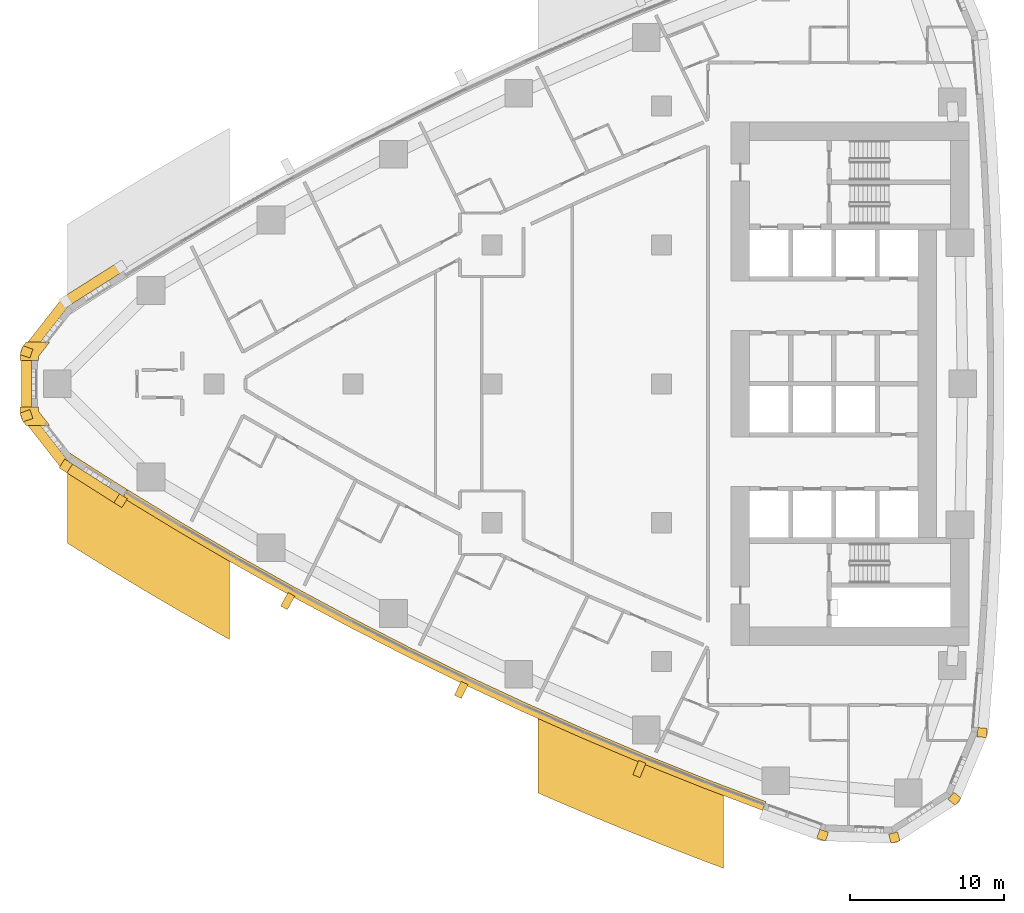
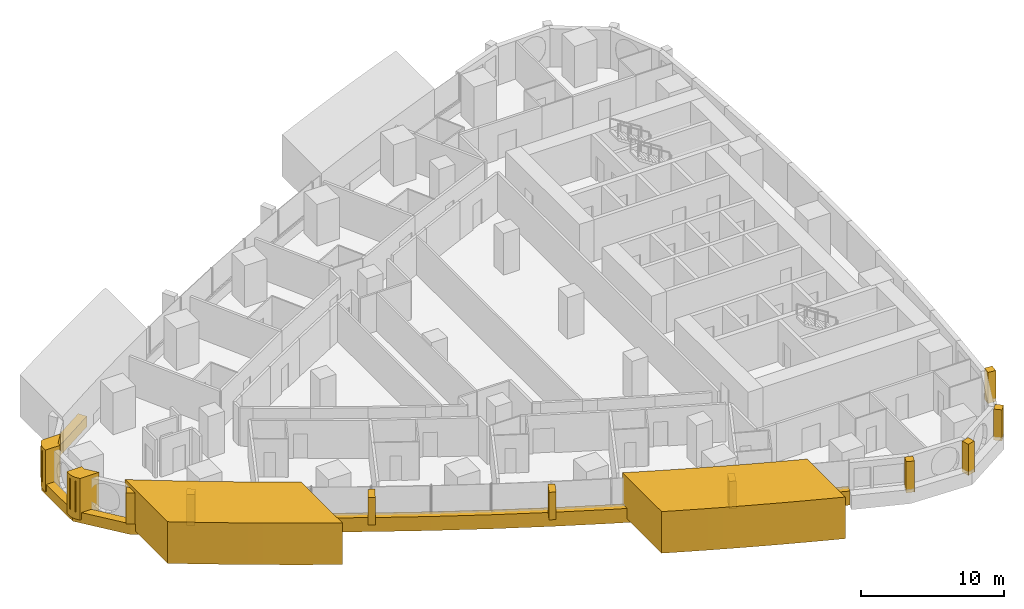
# One storey, part 15 of 19: 17 coverings.
"""IFC4 building model written with IfcOpenShell, lengths in metres."""

from ifc_helpers import new_model, si_unit, direction, frame, frame_2d, origin, place, context, subcontext, project, spatial, polyline, rectangle, outline, extrude, material, layer, layer_set, type_object, element, save


model = new_model("IFC4")

# Units and contexts
model_context = context("Model", 3, precision=1e-05, world=origin(), true_north=direction((0.0, 1.0)))
body_context = subcontext(model_context, "Body", "Model", "MODEL_VIEW")
ifc_project = project(units=[si_unit("LENGTHUNIT", "METRE"), si_unit("AREAUNIT", "SQUARE_METRE"), si_unit("VOLUMEUNIT", "CUBIC_METRE"), si_unit("PLANEANGLEUNIT", "RADIAN"), si_unit("MASSUNIT", "GRAM", prefix="KILO")], contexts=[model_context])

# Site, building, storey
site_placement = place(None, origin())
site = spatial("IfcSite", under=ifc_project, at=site_placement, CompositionType="ELEMENT")
building_placement = place(site_placement, origin())
building = spatial("IfcBuilding", under=site, at=building_placement, Name="Ostrand Prow Hotel Tower", CompositionType="ELEMENT")
storey_placement = place(building_placement, frame((0.0, 0.0, 50.25)))
storey = spatial("IfcBuildingStorey", under=building, at=storey_placement, Name="L10", CompositionType="ELEMENT", Elevation=50.25)

# Coverings
ifc_material_1 = material(Name="Bronze anodised aluminium cladding", Category="aluminium")
ifc_layer_1 = layer(ifc_material_1, 0.60009765625)
ifc_layer_set_1 = layer_set([ifc_layer_1], Name="Bronze anodised aluminium cladding")
covering_type_1 = type_object("IfcCoveringType", Name="Bronze prow band 899x600", PredefinedType="CLADDING", material=ifc_layer_set_1)
covering_1_placement = place(storey_placement, frame((0.0, 0.0, -0.300048828125)))
element("IfcCovering", 1, at=covering_1_placement, inside=storey, type_object=covering_type_1, Name="Bronze prow band", PredefinedType="CLADDING", context=body_context, shape_type="SweptSolid", body=[
    extrude(outline(polyline([(9.77734375, 7.864013671875), (6.2197265625, 5.6083984375), (3.53369140625, 2.178466796875), (3.53369140625, -2.178466796875), (6.2197265625, -5.6083984375), (9.77734375, -7.864013671875), (10.13623046875, -7.286376953125), (6.589111328125, -5.03759765625), (4.176513671875, -1.95654296875), (4.176513671875, 1.95654296875), (6.589111328125, 5.03759765625), (10.13623046875, 7.286376953125), (9.77734375, 7.864013671875)])), origin(), (0.0, 0.0, 1.0), 0.900146484375),
])
ifc_material_2 = material(Name="Bronze anodised aluminium cladding", Category="aluminium")
ifc_layer_2 = layer(ifc_material_2, 0.60009765625)
ifc_layer_set_2 = layer_set([ifc_layer_2], Name="Bronze anodised aluminium cladding")
covering_type_2 = type_object("IfcCoveringType", Name="Bronze spandrel band 1200x600", PredefinedType="CLADDING", material=ifc_layer_set_2)
covering_2_placement = place(storey_placement, frame((0.0, 0.0, -0.300048828125)))
element("IfcCovering", 2, at=covering_2_placement, inside=storey, type_object=covering_type_2, Name="Spandrel band S1", PredefinedType="CLADDING", context=body_context, shape_type="SweptSolid", body=[
    extrude(outline(polyline([(10.08349609375, -7.371337890625), (13.672607421875, -9.555419921875), (17.301513671875, -11.673095703125), (20.968994140625, -13.723876953125), (24.673095703125, -15.70654296875), (28.413330078125, -17.62060546875), (32.188232421875, -19.4658203125), (35.996337890625, -21.2412109375), (39.83642578125, -22.946044921875), (43.70751953125, -24.580078125), (47.607666015625, -26.142578125), (51.5361328125, -27.6328125), (51.743896484375, -27.070068359375), (47.82568359375, -25.58349609375), (43.935791015625, -24.025146484375), (40.074951171875, -22.3955078125), (36.244873046875, -20.695068359375), (32.44677734375, -18.92431640625), (28.681884765625, -17.083984375), (24.951416015625, -15.1748046875), (21.2568359375, -13.197509765625), (17.59912109375, -11.152099609375), (13.97998046875, -9.0400390625), (10.39990234375, -6.86181640625), (10.08349609375, -7.371337890625)])), origin(), (0.0, 0.0, 1.0), 1.199951171875),
])
ifc_material_3 = material(Name="Limestone cladding", Category="masonry")
ifc_layer_3 = layer(ifc_material_3, 5.0)
ifc_layer_set_3 = layer_set([ifc_layer_3], Name="Limestone cladding")
covering_type_3 = type_object("IfcCoveringType", Name="Portal jamb pilaster limestone", PredefinedType="CLADDING", material=ifc_layer_set_3)
covering_3_placement = place(storey_placement, origin())
element("IfcCovering", 3, at=covering_3_placement, inside=storey, type_object=covering_type_3, Name="Portal jamb SA L10", PredefinedType="CLADDING", context=body_context, shape_type="SweptSolid", body=[
    extrude(outline(polyline([(6.5, -4.3837890625), (6.5, -10.319580078125), (7.45458984375, -10.917724609375), (8.4091796875, -11.509521484375), (9.363525390625, -12.09521484375), (10.318115234375, -12.67431640625), (11.272705078125, -13.247314453125), (12.227294921875, -13.81396484375), (13.181884765625, -14.37451171875), (14.136474609375, -14.92919921875), (15.0908203125, -15.4775390625), (16.04541015625, -16.020263671875), (17.0, -16.556640625), (17.0, -10.80859375), (16.04541015625, -10.25634765625), (15.0908203125, -9.697998046875), (14.136474609375, -9.13330078125), (13.181884765625, -8.562255859375), (12.227294921875, -7.98486328125), (11.272705078125, -7.401123046875), (10.318115234375, -6.810791015625), (9.363525390625, -6.214111328125), (8.4091796875, -5.610595703125), (7.45458984375, -5.00048828125), (6.5, -4.3837890625)])), origin(), (0.0, 0.0, 1.0), 3.550048828125),
])
covering_4_placement = place(storey_placement, origin())
element("IfcCovering", 4, at=covering_4_placement, inside=storey, type_object=covering_type_3, Name="Portal jamb SB L10", PredefinedType="CLADDING", context=body_context, shape_type="SweptSolid", body=[
    extrude(outline(polyline([(37.0, -21.037109375), (37.0, -26.50927734375), (38.0, -26.945556640625), (39.0, -27.376220703125), (40.0, -27.801513671875), (41.0, -28.22119140625), (42.0, -28.635498046875), (43.0, -29.044189453125), (44.0, -29.447509765625), (45.0, -29.845703125), (46.0, -30.23828125), (47.0, -30.62548828125), (48.0, -31.0078125), (49.0, -31.384521484375), (49.0, -26.03759765625), (48.0, -25.6513671875), (47.0, -25.259765625), (46.0, -24.862548828125), (45.0, -24.459716796875), (44.0, -24.051513671875), (43.0, -23.637939453125), (42.0, -23.218505859375), (41.0, -22.793701171875), (40.0, -22.363037109375), (39.0, -21.9267578125), (38.0, -21.484619140625), (37.0, -21.037109375)])), origin(), (0.0, 0.0, 1.0), 3.550048828125),
])
ifc_material_4 = material(Name="Limestone cladding", Category="masonry")
ifc_layer_4 = layer(ifc_material_4, 0.5)
ifc_layer_set_4 = layer_set([ifc_layer_4], Name="Limestone cladding")
covering_type_4 = type_object("IfcCoveringType", Name="Precast stone fin 500x900", PredefinedType="CLADDING", material=ifc_layer_set_4)
for number, where, z_axis, x_axis, name in (
    (5, (21.016845703125, -13.635986328125, 0.89990234375), (0.0, 0.0, 1.0), (-0.480014960696, -0.877260302025, 0.0), "Stone fin S 4"),
    (6, (32.231201171875, -19.37548828125, 0.89990234375), (0.0, 0.0, 1.0), (-0.430634686673, -0.902526324621, 0.0), "Stone fin S 7"),
    (7, (43.74560546875, -24.487548828125, 0.89990234375), (0.0, 0.0, 1.0), (-0.380590179681, -0.924743810539, 0.0), "Stone fin S 10"),
):
    element("IfcCovering", number, at=place(storey_placement, frame(where, z_axis=z_axis, x_axis=x_axis)), inside=storey, type_object=covering_type_4, Name=name, PredefinedType="CLADDING", context=body_context, shape_type="SweptSolid", body=[
        extrude(rectangle(XDim=1.0, YDim=0.5, at=frame_2d((0.5, 0.0))), origin(), (0.0, 0.0, 1.0), 2.35009765625),
    ])
ifc_material_5 = material(Name="Limestone cladding", Category="masonry")
ifc_layer_5 = layer(ifc_material_5, 0.60009765625)
ifc_layer_set_5 = layer_set([ifc_layer_5], Name="Limestone cladding")
covering_type_5 = type_object("IfcCoveringType", Name="Precast stone prow rib 600x600", PredefinedType="CLADDING", material=ifc_layer_set_5)
for number, where, z_axis, x_axis, name in (
    (8, (4.176513671875, 1.95654296875, 0.60009765625), (0.0, 0.0, 1.0), (-0.945254650653, 0.326333641262, 0.0), "Stone prow rib 3"),
    (9, (4.176513671875, -1.95654296875, 0.60009765625), (0.0, 0.0, 1.0), (-0.945254650653, -0.326333641262, 0.0), "Stone prow rib 4"),
    (10, (6.589111328125, -5.03759765625, 0.60009765625), (0.0, 0.0, 1.0), (-0.543295944087, -0.839541253983, 0.0), "Stone prow rib 5"),
    (11, (10.13623046875, -7.286376953125, 0.60009765625), (0.0, 0.0, 1.0), (-0.527738148304, -0.849407114889, 0.0), "Stone prow rib 6"),
):
    element("IfcCovering", number, at=place(storey_placement, frame(where, z_axis=z_axis, x_axis=x_axis)), inside=storey, type_object=covering_type_5, Name=name, PredefinedType="CLADDING", context=body_context, shape_type="SweptSolid", body=[
        extrude(rectangle(XDim=0.679931640625, YDim=0.60009765625, at=frame_2d((0.33984375, 0.0))), origin(), (0.0, 0.0, 1.0), 2.64990234375),
    ])
for number, where, z_axis, x_axis, name in (
    (12, (55.524169921875, -28.956298828125, 0.60009765625), (0.0, 0.0, 1.0), (-0.328773122904, -0.94440893349, 0.0), "Stone corner rib 2a"),
    (13, (59.98681640625, -29.1025390625, 0.60009765625), (0.0, 0.0, 1.0), (0.266111535611, -0.963942244439, 0.0), "Stone corner rib 3a"),
    (14, (63.74169921875, -26.6865234375, 0.60009765625), (0.0, 0.0, 1.0), (0.766985844654, -0.641664019639, 0.0), "Stone corner rib 4a"),
    (15, (65.4580078125, -22.564453125, 0.60009765625), (0.0, 0.0, 1.0), (0.995724747837, -0.09237005221, 0.0), "Stone corner rib 4b"),
):
    element("IfcCovering", number, at=place(storey_placement, frame(where, z_axis=z_axis, x_axis=x_axis)), inside=storey, type_object=covering_type_5, Name=name, PredefinedType="CLADDING", context=body_context, shape_type="SweptSolid", body=[
        extrude(rectangle(XDim=0.60009765625, YDim=0.60009765625, at=frame_2d((0.300048828125, 0.0))), origin(), (0.0, 0.0, 1.0), 2.64990234375),
    ])
ifc_material_6 = material(Name="Limestone cladding", Category="masonry")
ifc_layer_6 = layer(ifc_material_6, 3.0)
ifc_layer_set_6 = layer_set([ifc_layer_6], Name="Limestone cladding")
covering_type_6 = type_object("IfcCoveringType", Name="Prow nose pier limestone", PredefinedType="CLADDING", material=ifc_layer_set_6)
covering_5_placement = place(storey_placement, origin())
element("IfcCovering", 16, at=covering_5_placement, inside=storey, type_object=covering_type_6, Name="Prow spine fin N L10", PredefinedType="CLADDING", context=body_context, shape_type="SweptSolid", body=[
    extrude(outline(polyline([(3.44921875, 1.793701171875), (3.44921875, 1.5), (4.649169921875, 1.5), (4.649169921875, 1.793701171875), (5.35888671875, 2.699951171875), (3.834716796875, 2.699951171875), (3.704345703125, 2.533447265625), (3.638427734375, 2.440673828125), (3.581787109375, 2.341796875), (3.53466796875, 2.23828125), (3.49755859375, 2.130615234375), (3.470703125, 2.02001953125), (3.45458984375, 1.9072265625), (3.44921875, 1.793701171875)])), origin(), (0.0, 0.0, 1.0), 3.550048828125),
])
covering_6_placement = place(storey_placement, origin())
element("IfcCovering", 17, at=covering_6_placement, inside=storey, type_object=covering_type_6, Name="Prow spine fin S L10", PredefinedType="CLADDING", context=body_context, shape_type="SweptSolid", body=[
    extrude(outline(polyline([(3.704345703125, -2.533447265625), (3.834716796875, -2.699951171875), (5.35888671875, -2.699951171875), (4.649169921875, -1.793701171875), (4.649169921875, -1.5), (3.44921875, -1.5), (3.44921875, -1.793701171875), (3.45458984375, -1.9072265625), (3.470703125, -2.02001953125), (3.49755859375, -2.130615234375), (3.53466796875, -2.23828125), (3.581787109375, -2.341796875), (3.638427734375, -2.440673828125), (3.704345703125, -2.533447265625)])), origin(), (0.0, 0.0, 1.0), 3.550048828125),
])

save(model, "model.ifc")
